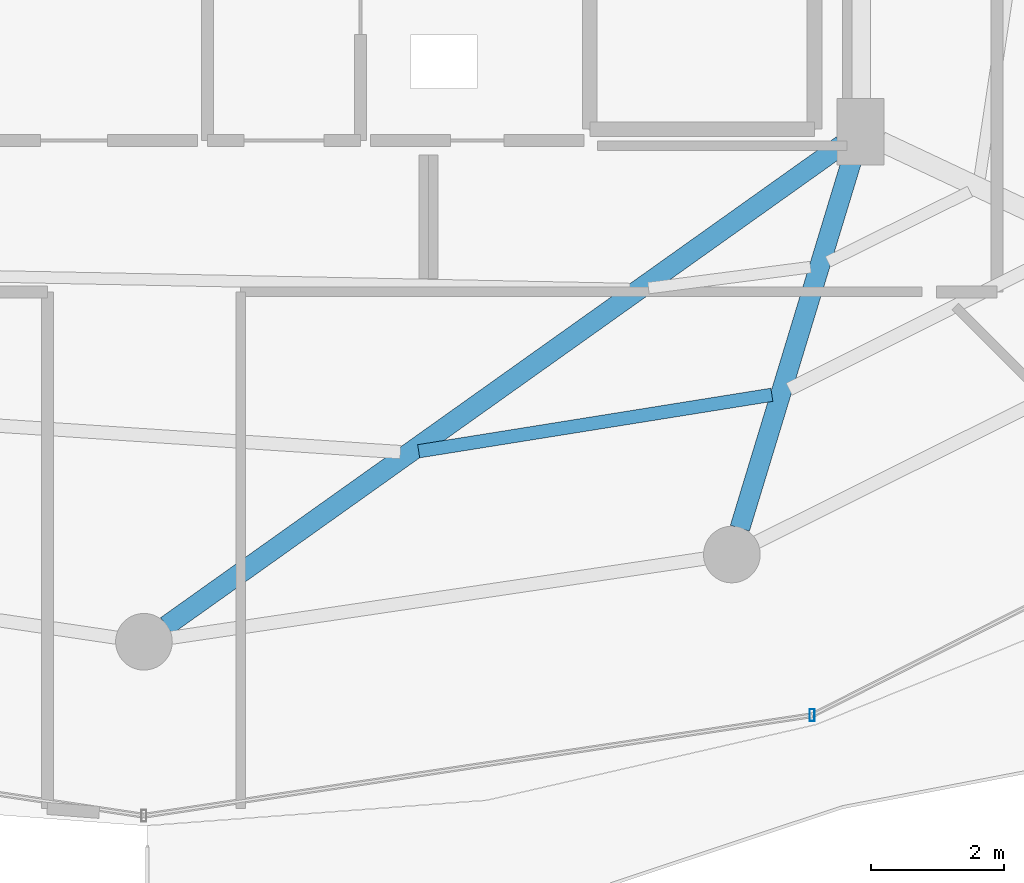
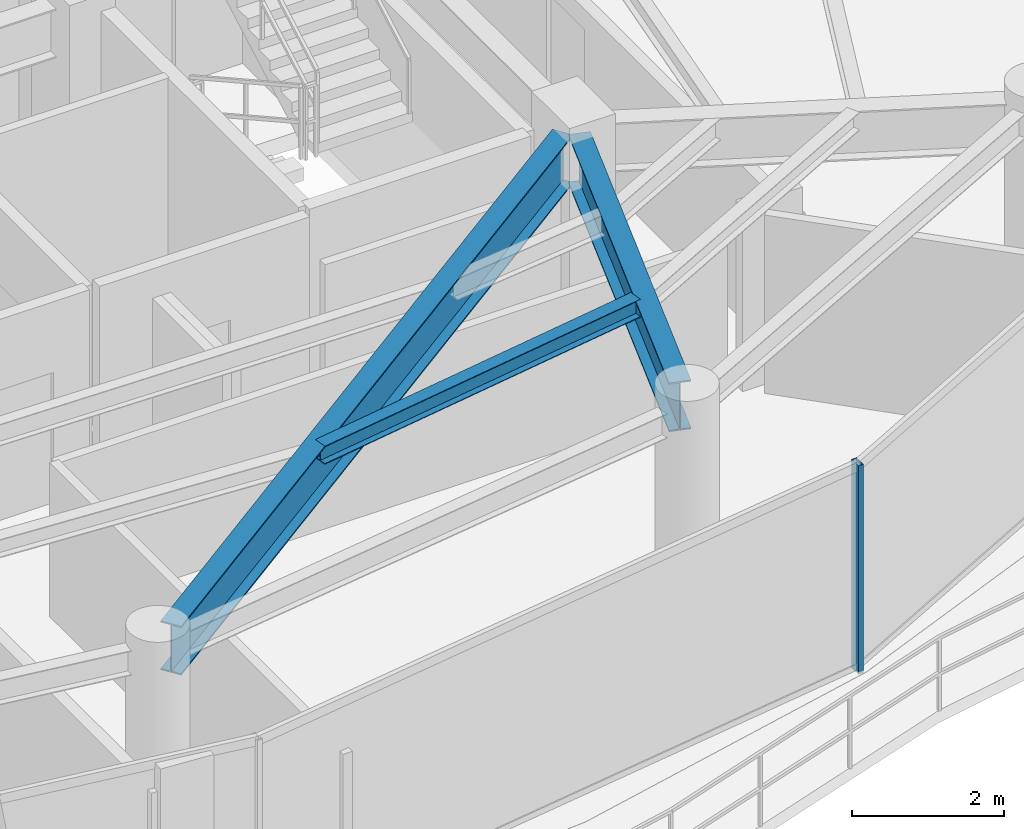
# One storey, part 10 of 29: 3 beams, 1 member, 1 element without a shape of its own.
"""IFC4 building model written with IfcOpenShell, lengths in metres."""

from ifc_helpers import new_model, si_unit, direction, frame, origin, origin_2d, place, context, subcontext, project, spatial, hollow_rectangle, i_section, extrude, material, material_profile, profile_set, type_object, element, aggregate, save


model = new_model("IFC4")

# Units and contexts
model_context = context("Model", 3, precision=1e-05, world=origin(), true_north=direction((0.0, 1.0)))
body_context = subcontext(model_context, "Body", "Model", "MODEL_VIEW")
ifc_project = project(units=[si_unit("LENGTHUNIT", "METRE"), si_unit("AREAUNIT", "SQUARE_METRE"), si_unit("VOLUMEUNIT", "CUBIC_METRE"), si_unit("PLANEANGLEUNIT", "RADIAN"), si_unit("MASSUNIT", "GRAM", prefix="KILO")], contexts=[model_context])

# Site, building, storey
site_placement = place(None, origin())
site = spatial("IfcSite", under=ifc_project, at=site_placement, CompositionType="ELEMENT")
building_placement = place(site_placement, origin())
building = spatial("IfcBuilding", under=site, at=building_placement, Name="Vorneva Point Tower", CompositionType="ELEMENT")
storey_placement = place(building_placement, frame((0.0, 0.0, 273.300048828125)))
storey = spatial("IfcBuildingStorey", under=building, at=storey_placement, Name="L74", CompositionType="ELEMENT", Elevation=273.300048828125)

# Beams
ifc_material_1 = material(Name="Steel S355", Category="steel")
ifc_material_profile_1 = material_profile(ifc_material_1, i_section(OverallWidth=0.300048828125, OverallDepth=0.7880859375, WebThickness=0.014404296875, FlangeThickness=0.02197265625, at=origin_2d()), Name="80Sh1")
ifc_profile_set_1 = profile_set([ifc_material_profile_1], Name="Steel S355")
beam_type_1 = type_object("IfcBeamType", Name="BM-GRD-80Sh1", PredefinedType="USERDEFINED", material=ifc_profile_set_1)
beam_1_placement = place(storey_placement, frame((38.33642578125, 9.03955078125, 2.89599609375), z_axis=(0.814757147543, 0.579802371958, 0.0), x_axis=(-0.579802371958, 0.814757147543, 0.0)))
element("IfcBeam", 1, at=beam_1_placement, inside=storey, type_object=beam_type_1, Name="L74 Radial Primary Girder 13", ObjectType="GIRDER", PredefinedType="USERDEFINED", context=body_context, shape_type="SweptSolid", body=[
    extrude(i_section(OverallWidth=0.300048828125, OverallDepth=0.7880859375, WebThickness=0.014404296875, FlangeThickness=0.02197265625, at=origin_2d()), origin(), (0.0, 0.0, 1.0), 12.441162109375),
])
beam_2_placement = place(storey_placement, frame((46.941162109375, 10.50439453125, 2.89599609375), z_axis=(0.291032624293, 0.956713129207, 0.0), x_axis=(-0.956713129207, 0.291032624293, 0.0)))
element("IfcBeam", 2, at=beam_2_placement, inside=storey, type_object=beam_type_1, Name="L74 Radial Primary Girder 14", ObjectType="GIRDER", PredefinedType="USERDEFINED", context=body_context, shape_type="SweptSolid", body=[
    extrude(i_section(OverallWidth=0.300048828125, OverallDepth=0.7880859375, WebThickness=0.014404296875, FlangeThickness=0.02197265625, at=origin_2d()), origin(), (0.0, 0.0, 1.0), 5.874755859375),
])
ifc_material_profile_2 = material_profile(ifc_material_1, i_section(OverallWidth=0.199951171875, OverallDepth=0.291015625, WebThickness=0.008056640625, FlangeThickness=0.010986328125, at=origin_2d()), Name="30Sh1")
ifc_profile_set_2 = profile_set([ifc_material_profile_2], Name="Steel S355")
beam_type_2 = type_object("IfcBeamType", Name="BM-SEC-30Sh1", PredefinedType="BEAM", material=ifc_profile_set_2)
beam_3_placement = place(storey_placement, frame((42.121826171875, 11.658203125, 3.14453125), z_axis=(0.987444038717, 0.157969207134, 0.0), x_axis=(-0.157969207134, 0.987444038717, 0.0)))
element("IfcBeam", 3, at=beam_3_placement, inside=storey, type_object=beam_type_2, Name="L74 Secondary Floor Beam 1.13", PredefinedType="BEAM", context=body_context, shape_type="SweptSolid", body=[
    extrude(i_section(OverallWidth=0.199951171875, OverallDepth=0.291015625, WebThickness=0.008056640625, FlangeThickness=0.010986328125, at=origin_2d()), origin(), (0.0, 0.0, 1.0), 5.365966796875),
])

# Curtain wall, member
ifc_material_2 = material(Name="Pale anodised aluminium", Category="aluminium")
curtain_wall_type = type_object("IfcCurtainWallType", Name="CW-RES-SYS", PredefinedType="NOTDEFINED", material=ifc_material_2)
curtain_wall_placement = place(storey_placement, origin())
curtain_wall = element("IfcCurtainWall", 4, at=curtain_wall_placement, inside=storey, type_object=curtain_wall_type, Name="L74 Unitised Curtain Wall CW-L74-R04", PredefinedType="NOTDEFINED")
ifc_material_profile_3 = material_profile(ifc_material_2, hollow_rectangle(XDim=0.074951171875, YDim=0.179931640625, WallThickness=0.00390625, at=origin_2d()), Name="AL-MUL 180x75x4")
ifc_profile_set_3 = profile_set([ifc_material_profile_3], Name="Pale anodised aluminium")
member_type = type_object("IfcMemberType", Name="CW-MUL-180", PredefinedType="MULLION", material=ifc_profile_set_3)
member_placement = place(storey_placement, frame((48.0263671875, 7.697998046875, -0.0400390625), z_axis=(0.0, 0.0, 1.0), x_axis=(1.0, 0.0, 0.0)))
member = element("IfcMember", 5, at=member_placement, type_object=member_type, Name="CW-L74-R04 Mullion 04", PredefinedType="MULLION", context=body_context, shape_type="SweptSolid", body=[
    extrude(hollow_rectangle(XDim=0.074951171875, YDim=0.179931640625, WallThickness=0.00390625, at=origin_2d()), origin(), (0.0, 0.0, 1.0), 3.360107421875),
])
aggregate(curtain_wall, [member])

save(model, "model.ifc")
